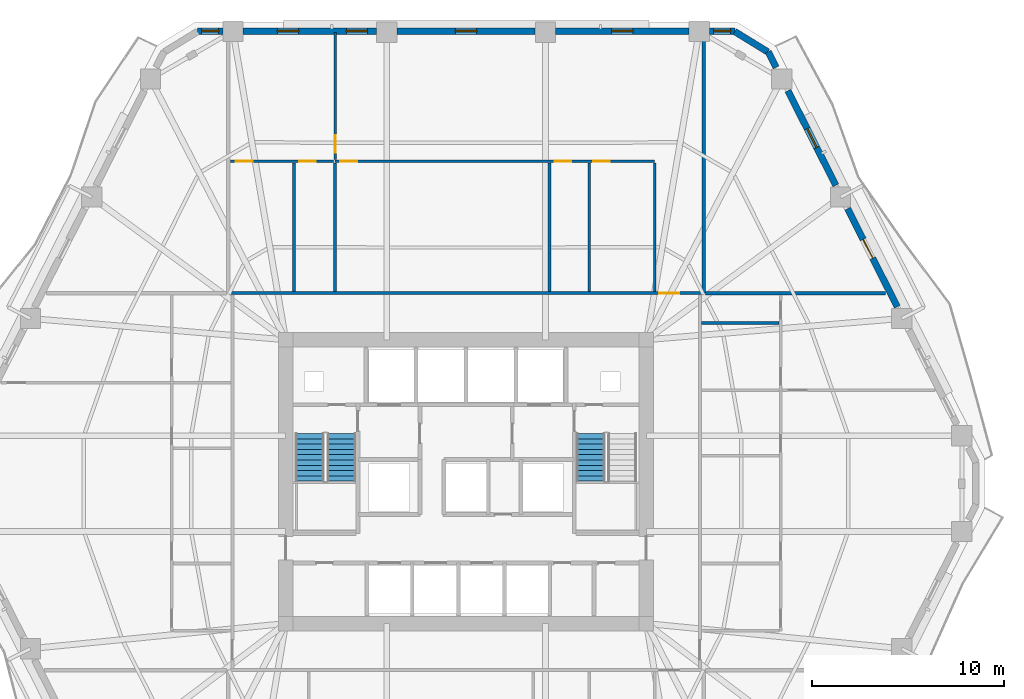
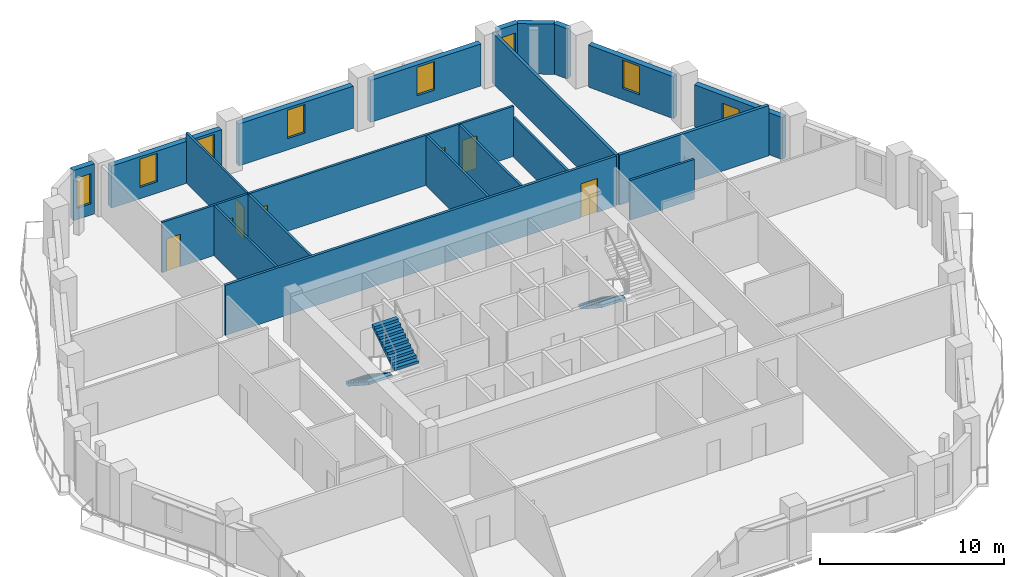
# One storey, part 7 of 13: 21 walls, 8 doors, 7 windows, 3 stair flights, 15 openings, 2 elements without a shape of their own.
"""IFC4 building model written with IfcOpenShell, lengths in metres."""

from ifc_helpers import new_model, si_unit, direction, frame, frame_2d, origin, place, context, subcontext, project, spatial, polyline, rectangle, outline, extrude, material, layer, layer_set, type_object, element, fill, aggregate, save


model = new_model("IFC4")

# Units and contexts
model_context = context("Model", 3, precision=1e-05, world=origin(), true_north=direction((0.0, 1.0)))
body_context = subcontext(model_context, "Body", "Model", "MODEL_VIEW")
ifc_project = project(units=[si_unit("LENGTHUNIT", "METRE"), si_unit("AREAUNIT", "SQUARE_METRE"), si_unit("VOLUMEUNIT", "CUBIC_METRE"), si_unit("PLANEANGLEUNIT", "RADIAN"), si_unit("MASSUNIT", "GRAM", prefix="KILO")], contexts=[model_context])

# Site, building, storey
site_placement = place(None, origin())
site = spatial("IfcSite", under=ifc_project, at=site_placement, CompositionType="ELEMENT")
building_placement = place(site_placement, origin())
building = spatial("IfcBuilding", under=site, at=building_placement, Name="Cinnabar Lancet Tower", CompositionType="ELEMENT")
storey_placement = place(building_placement, frame((0.0, 0.0, 83.550048828125)))
storey = spatial("IfcBuildingStorey", under=building, at=storey_placement, Name="L21", CompositionType="ELEMENT", Elevation=83.550048828125)

# Wall, opening, door
ifc_material_1 = material(Name="Acoustic twin-stud gypsum partition", Category="gypsum")
ifc_layer_1 = layer(ifc_material_1, 0.159912109375)
ifc_layer_set_1 = layer_set([ifc_layer_1], Name="Acoustic twin-stud gypsum partition")
wall_type_1 = type_object("IfcWallType", Name="ARC-WL-CORR-160", PredefinedType="PARTITIONING", material=ifc_layer_set_1)
wall_1_placement = place(storey_placement, frame((20.14501953125, 35.699951171875, 0.0), z_axis=(0.0, 0.0, 1.0), x_axis=(1.0, 0.0, 0.0)))
wall_1 = element("IfcWall", 1, at=wall_1_placement, inside=storey, type_object=wall_type_1, Name="L21 Unit N01 Corridor Wall", PredefinedType="PARTITIONING", context=body_context, shape_type="SweptSolid", body=[
    extrude(rectangle(XDim=24.510009765625, YDim=0.159912109375, at=frame_2d((12.2548828125, 0.0))), origin(), (0.0, 0.0, 1.0), 3.329833984375),
])
opening_1_placement = place(wall_1_placement, frame((22.304931640625, 0.0, 0.0)))
opening_1 = element("IfcOpeningElement", 2, at=opening_1_placement, cuts=wall_1, Name="Opening UD-01", PredefinedType="OPENING", context=body_context, shape_type="SweptSolid", body=[
    extrude(rectangle(XDim=1.02001953125, YDim=2.25, at=frame_2d((0.510009765625, 1.125))), frame((0.0, 0.08984375, 0.0), z_axis=(0.0, -1.0, 0.0), x_axis=(1.0, 0.0, 0.0)), (0.0, 0.0, 1.0), 0.179931640625),
])
ifc_material_2 = material(Name="Solid timber fire-rated apartment entrance door", Category="wood")
door_type_1 = type_object("IfcDoorType", Name="ARC-DR-UNIT", OperationType="NOTDEFINED", PredefinedType="DOOR", material=ifc_material_2)
door_1_placement = place(opening_1_placement, origin())
door_1 = element("IfcDoor", 3, at=door_1_placement, inside=storey, type_object=door_type_1, Name="DR-L21-N01-ENT", OperationType="SINGLE_SWING_LEFT", OverallHeight=2.25, OverallWidth=1.02001953125, PredefinedType="DOOR", context=body_context, shape_type="SweptSolid", body=[
    extrude(rectangle(XDim=1.02001953125, YDim=2.25, at=frame_2d((0.510009765625, 1.125))), frame((0.0, 0.02490234375, 0.0), z_axis=(0.0, -1.0, 0.0), x_axis=(1.0, 0.0, 0.0)), (0.0, 0.0, 1.0), 0.050048828125),
])
fill(opening_1, door_1)

# Walls
ifc_material_3 = material(Name="Fire-rated twin-frame acoustic drywall", Category="gypsum")
ifc_layer_2 = layer(ifc_material_3, 0.179931640625)
ifc_layer_set_2 = layer_set([ifc_layer_2], Name="Fire-rated twin-frame acoustic drywall")
wall_type_2 = type_object("IfcWallType", Name="ARC-WL-PARTY-180", PredefinedType="PARTITIONING", material=ifc_layer_set_2)
wall_2_placement = place(storey_placement, frame((44.75, 35.699951171875, 0.0), z_axis=(0.0, 0.0, 1.0), x_axis=(0.0, 1.0, 0.0)))
element("IfcWall", 4, at=wall_2_placement, inside=storey, type_object=wall_type_2, Name="PW-L21-NPTY-448", PredefinedType="PARTITIONING", context=body_context, shape_type="SweptSolid", body=[
    extrude(rectangle(XDim=13.445068359375, YDim=0.179931640625, at=frame_2d((6.72265625, 0.0))), origin(), (0.0, 0.0, 1.0), 3.329833984375),
])
wall_3_placement = place(storey_placement, frame((44.844970703125, 35.699951171875, 0.0), z_axis=(0.0, 0.0, 1.0), x_axis=(1.0, 0.0, 0.0)))
element("IfcWall", 5, at=wall_3_placement, inside=storey, type_object=wall_type_2, Name="PW-L21-ENB", PredefinedType="PARTITIONING", context=body_context, shape_type="SweptSolid", body=[
    extrude(rectangle(XDim=9.365966796875, YDim=0.179931640625, at=frame_2d((4.68310546875, 0.0))), origin(), (0.0, 0.0, 1.0), 3.329833984375),
])
ifc_material_4 = material(Name="Gypsum plasterboard stud partition", Category="gypsum")
ifc_layer_3 = layer(ifc_material_4, 0.125)
ifc_layer_set_3 = layer_set([ifc_layer_3], Name="Gypsum plasterboard stud partition")
wall_type_3 = type_object("IfcWallType", Name="ARC-WL-UNIT-125", PredefinedType="PARTITIONING", material=ifc_layer_set_3)
wall_4_placement = place(storey_placement, frame((42.199951171875, 35.784912109375, 0.0), z_axis=(0.0, 0.0, 1.0), x_axis=(0.0, 1.0, 0.0)))
element("IfcWall", 6, at=wall_4_placement, inside=storey, type_object=wall_type_3, Name="UW-L21-N01-FOYW", PredefinedType="PARTITIONING", context=body_context, shape_type="SweptSolid", body=[
    extrude(rectangle(XDim=6.6669921875, YDim=0.125, at=frame_2d((3.33349609375, 0.0))), origin(), (0.0, 0.0, 1.0), 2.635986328125),
])

# Wall, opening, door
wall_5_placement = place(storey_placement, frame((25.590087890625, 42.632080078125, 0.0), z_axis=(0.0, 0.0, 1.0), x_axis=(0.0, 1.0, 0.0)))
wall_5 = element("IfcWall", 7, at=wall_5_placement, inside=storey, type_object=wall_type_3, Name="UW-L21-N01-MBW", PredefinedType="PARTITIONING", context=body_context, shape_type="SweptSolid", body=[
    extrude(rectangle(XDim=6.60302734375, YDim=0.125, at=frame_2d((3.301513671875, 0.0))), origin(), (0.0, 0.0, 1.0), 3.329833984375),
])
opening_2_placement = place(wall_5_placement, frame((0.35009765625, 0.0, 0.0)))
opening_2 = element("IfcOpeningElement", 8, at=opening_2_placement, cuts=wall_5, Name="Opening RD-01", PredefinedType="OPENING", context=body_context, shape_type="SweptSolid", body=[
    extrude(rectangle(XDim=0.919921875, YDim=2.14990234375, at=frame_2d((0.4599609375, 1.074951171875))), frame((0.0, 0.072509765625, 0.0), z_axis=(0.0, -1.0, 0.0), x_axis=(1.0, 0.0, 0.0)), (0.0, 0.0, 1.0), 0.14501953125),
])
ifc_material_5 = material(Name="Engineered timber bedroom door", Category="wood")
door_type_2 = type_object("IfcDoorType", Name="ARC-DR-ROOM", OperationType="NOTDEFINED", PredefinedType="DOOR", material=ifc_material_5)
door_2_placement = place(opening_2_placement, origin())
door_2 = element("IfcDoor", 9, at=door_2_placement, inside=storey, type_object=door_type_2, Name="DR-L21-N01-MBD", OperationType="SINGLE_SWING_RIGHT", OverallHeight=2.14990234375, OverallWidth=0.919921875, PredefinedType="DOOR", context=body_context, shape_type="SweptSolid", body=[
    extrude(rectangle(XDim=0.919921875, YDim=2.14990234375, at=frame_2d((0.4599609375, 1.074951171875))), frame((0.0, 0.02490234375, 0.0), z_axis=(0.0, -1.0, 0.0), x_axis=(1.0, 0.0, 0.0)), (0.0, 0.0, 1.0), 0.050048828125),
])
fill(opening_2, door_2)

# Wall, openings, doors
ifc_material_6 = material(Name="Moisture-resistant cement-board plumbing wall", Category="masonry")
ifc_layer_4 = layer(ifc_material_6, 0.139892578125)
ifc_layer_set_4 = layer_set([ifc_layer_4], Name="Moisture-resistant cement-board plumbing wall")
wall_type_4 = type_object("IfcWallType", Name="ARC-WL-WET-140", PredefinedType="PLUMBINGWALL", material=ifc_layer_set_4)
wall_6_placement = place(storey_placement, frame((25.590087890625, 42.556884765625, 0.0), z_axis=(0.0, 0.0, 1.0), x_axis=(1.0, 0.0, 0.0)))
wall_6 = element("IfcWall", 10, at=wall_6_placement, inside=storey, type_object=wall_type_4, Name="UW-L21-N01-SPL", PredefinedType="PLUMBINGWALL", context=body_context, shape_type="SweptSolid", body=[
    extrude(rectangle(XDim=16.60986328125, YDim=0.139892578125, at=frame_2d((8.304931640625, 0.0))), origin(), (0.0, 0.0, 1.0), 3.329833984375),
])
opening_3_placement = place(wall_6_placement, frame((0.280029296875, 0.0, 0.0)))
opening_3 = element("IfcOpeningElement", 11, at=opening_3_placement, cuts=wall_6, Name="Opening RD-02", PredefinedType="OPENING", context=body_context, shape_type="SweptSolid", body=[
    extrude(rectangle(XDim=0.8798828125, YDim=2.14990234375, at=frame_2d((0.43994140625, 1.074951171875))), frame((0.0, 0.079833984375, 0.0), z_axis=(0.0, -1.0, 0.0), x_axis=(1.0, 0.0, 0.0)), (0.0, 0.0, 1.0), 0.159912109375),
])
opening_4_placement = place(wall_6_placement, frame((11.428955078125, 0.0, 0.0)))
opening_4 = element("IfcOpeningElement", 12, at=opening_4_placement, cuts=wall_6, Name="Opening BD-01", PredefinedType="OPENING", context=body_context, shape_type="SweptSolid", body=[
    extrude(rectangle(XDim=0.860107421875, YDim=2.10009765625, at=frame_2d((0.43017578125, 1.050048828125))), frame((0.0, 0.079833984375, 0.0), z_axis=(0.0, -1.0, 0.0), x_axis=(1.0, 0.0, 0.0)), (0.0, 0.0, 1.0), 0.159912109375),
])
opening_5_placement = place(wall_6_placement, frame((13.409912109375, 0.0, 0.0)))
opening_5 = element("IfcOpeningElement", 13, at=opening_5_placement, cuts=wall_6, Name="Opening RD-02", PredefinedType="OPENING", context=body_context, shape_type="SweptSolid", body=[
    extrude(rectangle(XDim=0.8798828125, YDim=2.14990234375, at=frame_2d((0.43994140625, 1.074951171875))), frame((0.0, 0.079833984375, 0.0), z_axis=(0.0, -1.0, 0.0), x_axis=(1.0, 0.0, 0.0)), (0.0, 0.0, 1.0), 0.159912109375),
])
ifc_material_7 = material(Name="Moisture-resistant timber bathroom door", Category="wood")
door_type_3 = type_object("IfcDoorType", Name="ARC-DR-BATH", OperationType="NOTDEFINED", PredefinedType="DOOR", material=ifc_material_7)
door_3_placement = place(opening_4_placement, origin())
door_3 = element("IfcDoor", 14, at=door_3_placement, inside=storey, type_object=door_type_3, Name="DR-L21-N01-BTH", OperationType="SINGLE_SWING_LEFT", OverallHeight=2.10009765625, OverallWidth=0.860107421875, PredefinedType="DOOR", context=body_context, shape_type="SweptSolid", body=[
    extrude(rectangle(XDim=0.860107421875, YDim=2.10009765625, at=frame_2d((0.43017578125, 1.050048828125))), frame((0.0, 0.02490234375, 0.0), z_axis=(0.0, -1.0, 0.0), x_axis=(1.0, 0.0, 0.0)), (0.0, 0.0, 1.0), 0.050048828125),
])
fill(opening_4, door_3)
ifc_material_8 = material(Name="Engineered timber study door", Category="wood")
door_type_4 = type_object("IfcDoorType", Name="ARC-DR-STUDY", OperationType="NOTDEFINED", PredefinedType="DOOR", material=ifc_material_8)
door_4_placement = place(opening_3_placement, origin())
door_4 = element("IfcDoor", 15, at=door_4_placement, inside=storey, type_object=door_type_4, Name="DR-L21-N01-BTH-WDR", OperationType="SINGLE_SWING_RIGHT", OverallHeight=2.14990234375, OverallWidth=0.8798828125, PredefinedType="DOOR", context=body_context, shape_type="SweptSolid", body=[
    extrude(rectangle(XDim=0.8798828125, YDim=2.14990234375, at=frame_2d((0.43994140625, 1.074951171875))), frame((0.0, 0.02490234375, 0.0), z_axis=(0.0, -1.0, 0.0), x_axis=(1.0, 0.0, 0.0)), (0.0, 0.0, 1.0), 0.050048828125),
])
fill(opening_3, door_4)
door_5_placement = place(opening_5_placement, origin())
door_5 = element("IfcDoor", 16, at=door_5_placement, inside=storey, type_object=door_type_4, Name="DR-L21-N01-KIT", OperationType="SINGLE_SWING_LEFT", OverallHeight=2.14990234375, OverallWidth=0.8798828125, PredefinedType="DOOR", context=body_context, shape_type="SweptSolid", body=[
    extrude(rectangle(XDim=0.8798828125, YDim=2.14990234375, at=frame_2d((0.43994140625, 1.074951171875))), frame((0.0, 0.02490234375, 0.0), z_axis=(0.0, -1.0, 0.0), x_axis=(1.0, 0.0, 0.0)), (0.0, 0.0, 1.0), 0.050048828125),
])
fill(opening_5, door_5)

wall_7_placement = place(storey_placement, frame((20.14501953125, 42.556884765625, 0.0), z_axis=(0.0, 0.0, 1.0), x_axis=(1.0, 0.0, 0.0)))
wall_7 = element("IfcWall", 17, at=wall_7_placement, inside=storey, type_object=wall_type_4, Name="UW-L21-N01-SPM", PredefinedType="PLUMBINGWALL", context=body_context, shape_type="SweptSolid", body=[
    extrude(rectangle(XDim=5.369873046875, YDim=0.139892578125, at=frame_2d((2.68505859375, 0.0))), origin(), (0.0, 0.0, 1.0), 3.329833984375),
])
opening_6_placement = place(wall_7_placement, frame((0.280029296875, 0.0, 0.0)))
opening_6 = element("IfcOpeningElement", 18, at=opening_6_placement, cuts=wall_7, Name="Opening RD-02", PredefinedType="OPENING", context=body_context, shape_type="SweptSolid", body=[
    extrude(rectangle(XDim=0.8798828125, YDim=2.14990234375, at=frame_2d((0.43994140625, 1.074951171875))), frame((0.0, 0.079833984375, 0.0), z_axis=(0.0, -1.0, 0.0), x_axis=(1.0, 0.0, 0.0)), (0.0, 0.0, 1.0), 0.159912109375),
])
opening_7_placement = place(wall_7_placement, frame((3.589111328125, 0.0, 0.0)))
opening_7 = element("IfcOpeningElement", 19, at=opening_7_placement, cuts=wall_7, Name="Opening BD-01", PredefinedType="OPENING", context=body_context, shape_type="SweptSolid", body=[
    extrude(rectangle(XDim=0.860107421875, YDim=2.10009765625, at=frame_2d((0.43017578125, 1.050048828125))), frame((0.0, 0.079833984375, 0.0), z_axis=(0.0, -1.0, 0.0), x_axis=(1.0, 0.0, 0.0)), (0.0, 0.0, 1.0), 0.159912109375),
])
door_6_placement = place(opening_7_placement, origin())
door_6 = element("IfcDoor", 20, at=door_6_placement, inside=storey, type_object=door_type_3, Name="DR-L21-N01-ENS", OperationType="SINGLE_SWING_RIGHT", OverallHeight=2.10009765625, OverallWidth=0.860107421875, PredefinedType="DOOR", context=body_context, shape_type="SweptSolid", body=[
    extrude(rectangle(XDim=0.860107421875, YDim=2.10009765625, at=frame_2d((0.43017578125, 1.050048828125))), frame((0.0, 0.02490234375, 0.0), z_axis=(0.0, -1.0, 0.0), x_axis=(1.0, 0.0, 0.0)), (0.0, 0.0, 1.0), 0.050048828125),
])
fill(opening_7, door_6)
door_7_placement = place(opening_6_placement, origin())
door_7 = element("IfcDoor", 21, at=door_7_placement, inside=storey, type_object=door_type_4, Name="DR-L21-N01-ENS-WDR", OperationType="SINGLE_SWING_LEFT", OverallHeight=2.14990234375, OverallWidth=0.8798828125, PredefinedType="DOOR", context=body_context, shape_type="SweptSolid", body=[
    extrude(rectangle(XDim=0.8798828125, YDim=2.14990234375, at=frame_2d((0.43994140625, 1.074951171875))), frame((0.0, 0.02490234375, 0.0), z_axis=(0.0, -1.0, 0.0), x_axis=(1.0, 0.0, 0.0)), (0.0, 0.0, 1.0), 0.050048828125),
])
fill(opening_6, door_7)

# Walls
for number, where, z_axis, x_axis, name in (
    (22, (38.800048828125, 35.784912109375, 0.0), (0.0, 0.0, 1.0), (0.0, 1.0, 0.0), "UW-L21-N01-KBD"),
    (23, (25.590087890625, 35.784912109375, 0.0), (0.0, 0.0, 1.0), (0.0, 1.0, 0.0), "UW-L21-N01-ENSW"),
):
    element("IfcWall", number, at=place(storey_placement, frame(where, z_axis=z_axis, x_axis=x_axis)), inside=storey, type_object=wall_type_4, Name=name, PredefinedType="PLUMBINGWALL", context=body_context, shape_type="SweptSolid", body=[
        extrude(rectangle(XDim=6.6669921875, YDim=0.139892578125, at=frame_2d((3.33349609375, 0.0))), origin(), (0.0, 0.0, 1.0), 3.329833984375),
    ])
for number, where, z_axis, x_axis, name in (
    (24, (36.739013671875, 35.784912109375, 0.0), (0.0, 0.0, 1.0), (0.0, 1.0, 0.0), "UW-L21-N01-BTH-WDV"),
    (25, (23.4541015625, 35.784912109375, 0.0), (0.0, 0.0, 1.0), (0.0, 1.0, 0.0), "UW-L21-N01-ENS-WDV"),
):
    element("IfcWall", number, at=place(storey_placement, frame(where, z_axis=z_axis, x_axis=x_axis)), inside=storey, type_object=wall_type_4, Name=name, PredefinedType="PLUMBINGWALL", context=body_context, shape_type="SweptSolid", body=[
        extrude(rectangle(XDim=6.68701171875, YDim=0.139892578125, at=frame_2d((3.343505859375, 0.0))), origin(), (0.0, 0.0, 1.0), 3.329833984375),
    ])
wall_8_placement = place(storey_placement, frame((44.635009765625, 34.14892578125, 0.0), z_axis=(0.0, 0.0, 1.0), x_axis=(1.0, 0.0, 0.0)))
element("IfcWall", 26, at=wall_8_placement, inside=storey, type_object=wall_type_4, Name="UW-L21-E01-EWDV", PredefinedType="PLUMBINGWALL", context=body_context, shape_type="SweptSolid", body=[
    extrude(rectangle(XDim=4.030029296875, YDim=0.139892578125, at=frame_2d((2.01513671875, 0.0))), origin(), (0.0, 0.0, 1.0), 2.635986328125),
])
ifc_material_9 = material(Name="Cinnabar red clay brick", Category="masonry")
ifc_layer_5 = layer(ifc_material_9, 0.340087890625)
ifc_layer_set_5 = layer_set([ifc_layer_5], Name="Cinnabar red clay brick")
wall_type_5 = type_object("IfcWallType", Name="ENV-WL-BRK-RED-340", PredefinedType="STANDARD", material=ifc_layer_set_5)
wall_9_placement = place(storey_placement, frame((48.080078125, 48.238037109375, 0.0), z_axis=(0.0, 0.0, 1.0), x_axis=(-0.851870104345, 0.523753114857, 0.0)))
element("IfcWall", 27, at=wall_9_placement, inside=storey, type_object=wall_type_5, Name="L21 Chamfered Corner Brick Pier 4.1", PredefinedType="STANDARD", context=body_context, shape_type="SweptSolid", body=[
    extrude(rectangle(XDim=2.017822265625, YDim=0.340087890625, at=frame_2d((1.0087890625, 0.0))), origin(), (0.0, 0.0, 1.0), 3.329833984375),
])

# Wall, opening, door
wall_10_placement = place(storey_placement, frame((54.81396484375, 34.986083984375, 0.0), z_axis=(0.0, 0.0, 1.0), x_axis=(-0.451633893529, 0.892203354744, 0.0)))
wall_10 = element("IfcWall", 28, at=wall_10_placement, inside=storey, type_object=wall_type_5, Name="L21 Face 3 Masonry Bay Wall 3", PredefinedType="STANDARD", context=body_context, shape_type="SweptSolid", body=[
    extrude(rectangle(XDim=5.71484375, YDim=0.340087890625, at=frame_2d((2.857421875, 0.0))), origin(), (0.0, 0.0, 1.0), 2.786865234375),
])
opening_8_placement = place(wall_10_placement, frame((2.8330078125, 0.0, 0.0)))
opening_8 = element("IfcOpeningElement", 29, at=opening_8_placement, cuts=wall_10, Name="Opening TD-01", PredefinedType="OPENING", context=body_context, shape_type="SweptSolid", body=[
    extrude(rectangle(XDim=1.10009765625, YDim=2.25, at=frame_2d((0.550048828125, 1.125))), frame((0.0, 0.179931640625, 0.0), z_axis=(0.0, -1.0, 0.0), x_axis=(1.0, 0.0, 0.0)), (0.0, 0.0, 1.0), 0.360107421875),
])
ifc_material_10 = material(Name="Thermally broken low-E glazed balcony terrace door", Category="wood")
door_type_5 = type_object("IfcDoorType", Name="ARC-DR-BALC", OperationType="NOTDEFINED", PredefinedType="DOOR", material=ifc_material_10)
door_8_placement = place(opening_8_placement, origin())
door_8 = element("IfcDoor", 30, at=door_8_placement, inside=storey, type_object=door_type_5, Name="L21 Face 3 Glazed Terrace Door", OperationType="SINGLE_SWING_LEFT", OverallHeight=2.25, OverallWidth=1.10009765625, PredefinedType="DOOR", context=body_context, shape_type="SweptSolid", body=[
    extrude(rectangle(XDim=1.10009765625, YDim=2.25, at=frame_2d((0.550048828125, 1.125))), frame((0.0, 0.02490234375, 0.0), z_axis=(0.0, -1.0, 0.0), x_axis=(1.0, 0.0, 0.0)), (0.0, 0.0, 1.0), 0.050048828125),
])
fill(opening_8, door_8)

# Wall, opening, window
wall_11_placement = place(storey_placement, frame((51.62109375, 41.297119140625, 0.0), z_axis=(0.0, 0.0, 1.0), x_axis=(-0.451737622594, 0.892150839451, 0.0)))
wall_11 = element("IfcWall", 31, at=wall_11_placement, inside=storey, type_object=wall_type_5, Name="L21 Face 3 Masonry Bay Wall 4", PredefinedType="STANDARD", context=body_context, shape_type="SweptSolid", body=[
    extrude(rectangle(XDim=5.51904296875, YDim=0.340087890625, at=frame_2d((2.759521484375, 0.0))), origin(), (0.0, 0.0, 1.0), 2.786865234375),
])
opening_9_placement = place(wall_11_placement, frame((2.2099609375, 0.0, 0.75)))
opening_9 = element("IfcOpeningElement", 32, at=opening_9_placement, cuts=wall_11, Name="Opening WN-04", PredefinedType="OPENING", context=body_context, shape_type="SweptSolid", body=[
    extrude(rectangle(XDim=1.10009765625, YDim=1.886962890625, at=frame_2d((0.550048828125, 0.943359375))), frame((0.0, 0.179931640625, 0.0), z_axis=(0.0, -1.0, 0.0), x_axis=(1.0, 0.0, 0.0)), (0.0, 0.0, 1.0), 0.360107421875),
])
ifc_material_11 = material(Name="Thermally broken bronze-anodized aluminium tall lancet window", Category="aluminium")
window_type = type_object("IfcWindowType", Name="ENV-WN-LANCET-1100", PartitioningType="SINGLE_PANEL", PredefinedType="WINDOW", material=ifc_material_11)
window_1_placement = place(opening_9_placement, origin())
window_1 = element("IfcWindow", 33, at=window_1_placement, inside=storey, type_object=window_type, Name="L21 Face 3 Gothic Lancet Window 4", OverallHeight=1.886962890625, OverallWidth=1.10009765625, PartitioningType="SINGLE_PANEL", PredefinedType="WINDOW", context=body_context, shape_type="SweptSolid", body=[
    extrude(rectangle(XDim=1.10009765625, YDim=1.886962890625, at=frame_2d((0.550048828125, 0.943359375))), frame((0.0, 0.030029296875, 0.0), z_axis=(0.0, -1.0, 0.0), x_axis=(1.0, 0.0, 0.0)), (0.0, 0.0, 1.0), 0.06005859375),
])
fill(opening_9, window_1)

# Wall
wall_12_placement = place(storey_placement, frame((48.51611328125, 47.43310546875, 0.0), z_axis=(0.0, 0.0, 1.0), x_axis=(-0.452088642812, 0.891973014749, 0.0)))
element("IfcWall", 34, at=wall_12_placement, inside=storey, type_object=wall_type_5, Name="L21 Face 3 Masonry Bay Wall 5", PredefinedType="STANDARD", context=body_context, shape_type="SweptSolid", body=[
    extrude(rectangle(XDim=0.920166015625, YDim=0.340087890625, at=frame_2d((0.4599609375, 0.0))), origin(), (0.0, 0.0, 1.0), 3.329833984375),
])

# Wall, opening, window
wall_13_placement = place(storey_placement, frame((46.365966796875, 49.320068359375, 0.0), z_axis=(0.0, 0.0, 1.0), x_axis=(-1.0, 0.0, 0.0)))
wall_13 = element("IfcWall", 35, at=wall_13_placement, inside=storey, type_object=wall_type_5, Name="L21 Face 4 Masonry Bay Wall 1", PredefinedType="STANDARD", context=body_context, shape_type="SweptSolid", body=[
    extrude(rectangle(XDim=1.320068359375, YDim=0.340087890625, at=frame_2d((0.66015625, 0.0))), origin(), (0.0, 0.0, 1.0), 3.329833984375),
])
opening_10_placement = place(wall_13_placement, frame((0.219970703125, 0.0, 0.75)))
opening_10 = element("IfcOpeningElement", 36, at=opening_10_placement, cuts=wall_13, Name="Opening WN-04", PredefinedType="OPENING", context=body_context, shape_type="SweptSolid", body=[
    extrude(rectangle(XDim=0.8798828125, YDim=2.0, at=frame_2d((0.43994140625, 1.0))), frame((0.0, 0.179931640625, 0.0), z_axis=(0.0, -1.0, 0.0), x_axis=(1.0, 0.0, 0.0)), (0.0, 0.0, 1.0), 0.360107421875),
])
window_2_placement = place(opening_10_placement, origin())
window_2 = element("IfcWindow", 37, at=window_2_placement, inside=storey, type_object=window_type, Name="L21 Split-Bay Gothic Lancet Window 62", OverallHeight=2.0, OverallWidth=0.8798828125, PartitioningType="SINGLE_PANEL", PredefinedType="WINDOW", context=body_context, shape_type="SweptSolid", body=[
    extrude(rectangle(XDim=0.8798828125, YDim=2.0, at=frame_2d((0.43994140625, 1.0))), frame((0.0, 0.030029296875, 0.0), z_axis=(0.0, -1.0, 0.0), x_axis=(1.0, 0.0, 0.0)), (0.0, 0.0, 1.0), 0.06005859375),
])
fill(opening_10, window_2)

wall_14_placement = place(storey_placement, frame((43.988037109375, 49.320068359375, 0.0), z_axis=(0.0, 0.0, 1.0), x_axis=(-1.0, 0.0, 0.0)))
wall_14 = element("IfcWall", 38, at=wall_14_placement, inside=storey, type_object=wall_type_5, Name="L21 Face 4 Masonry Bay Wall 2", PredefinedType="STANDARD", context=body_context, shape_type="SweptSolid", body=[
    extrude(rectangle(XDim=6.93701171875, YDim=0.340087890625, at=frame_2d((3.468505859375, 0.0))), origin(), (0.0, 0.0, 1.0), 2.786865234375),
])
opening_11_placement = place(wall_14_placement, frame((2.91796875, 0.0, 0.75)))
opening_11 = element("IfcOpeningElement", 39, at=opening_11_placement, cuts=wall_14, Name="Opening WN-04", PredefinedType="OPENING", context=body_context, shape_type="SweptSolid", body=[
    extrude(rectangle(XDim=1.10009765625, YDim=1.886962890625, at=frame_2d((0.550048828125, 0.943359375))), frame((0.0, 0.179931640625, 0.0), z_axis=(0.0, -1.0, 0.0), x_axis=(1.0, 0.0, 0.0)), (0.0, 0.0, 1.0), 0.360107421875),
])
window_3_placement = place(opening_11_placement, origin())
window_3 = element("IfcWindow", 40, at=window_3_placement, inside=storey, type_object=window_type, Name="L21 Face 4 Gothic Lancet Window 2", OverallHeight=1.886962890625, OverallWidth=1.10009765625, PartitioningType="SINGLE_PANEL", PredefinedType="WINDOW", context=body_context, shape_type="SweptSolid", body=[
    extrude(rectangle(XDim=1.10009765625, YDim=1.886962890625, at=frame_2d((0.550048828125, 0.943359375))), frame((0.0, 0.030029296875, 0.0), z_axis=(0.0, -1.0, 0.0), x_axis=(1.0, 0.0, 0.0)), (0.0, 0.0, 1.0), 0.06005859375),
])
fill(opening_11, window_3)

wall_15_placement = place(storey_placement, frame((35.992919921875, 49.320068359375, 0.0), z_axis=(0.0, 0.0, 1.0), x_axis=(-1.0, 0.0, 0.0)))
wall_15 = element("IfcWall", 41, at=wall_15_placement, inside=storey, type_object=wall_type_5, Name="L21 Face 4 Masonry Bay Wall 3", PredefinedType="STANDARD", context=body_context, shape_type="SweptSolid", body=[
    extrude(rectangle(XDim=7.18603515625, YDim=0.340087890625, at=frame_2d((3.593017578125, 0.0))), origin(), (0.0, 0.0, 1.0), 2.786865234375),
])
opening_12_placement = place(wall_15_placement, frame((3.04296875, 0.0, 0.75)))
opening_12 = element("IfcOpeningElement", 42, at=opening_12_placement, cuts=wall_15, Name="Opening WN-04", PredefinedType="OPENING", context=body_context, shape_type="SweptSolid", body=[
    extrude(rectangle(XDim=1.10009765625, YDim=1.886962890625, at=frame_2d((0.550048828125, 0.943359375))), frame((0.0, 0.179931640625, 0.0), z_axis=(0.0, -1.0, 0.0), x_axis=(1.0, 0.0, 0.0)), (0.0, 0.0, 1.0), 0.360107421875),
])
window_4_placement = place(opening_12_placement, origin())
window_4 = element("IfcWindow", 43, at=window_4_placement, inside=storey, type_object=window_type, Name="L21 Face 4 Gothic Lancet Window 3", OverallHeight=1.886962890625, OverallWidth=1.10009765625, PartitioningType="SINGLE_PANEL", PredefinedType="WINDOW", context=body_context, shape_type="SweptSolid", body=[
    extrude(rectangle(XDim=1.10009765625, YDim=1.886962890625, at=frame_2d((0.550048828125, 0.943359375))), frame((0.0, 0.030029296875, 0.0), z_axis=(0.0, -1.0, 0.0), x_axis=(1.0, 0.0, 0.0)), (0.0, 0.0, 1.0), 0.06005859375),
])
fill(opening_12, window_4)

# Wall, openings, windows
wall_16_placement = place(storey_placement, frame((27.7490234375, 49.320068359375, 0.0), z_axis=(0.0, 0.0, 1.0), x_axis=(-1.0, 0.0, 0.0)))
wall_16 = element("IfcWall", 44, at=wall_16_placement, inside=storey, type_object=wall_type_5, Name="L21 Face 4 Masonry Bay Wall 4", PredefinedType="STANDARD", context=body_context, shape_type="SweptSolid", body=[
    extrude(rectangle(XDim=6.93701171875, YDim=0.340087890625, at=frame_2d((3.468505859375, 0.0))), origin(), (0.0, 0.0, 1.0), 2.786865234375),
])
opening_13_placement = place(wall_16_placement, frame((0.472900390625, 0.0, 0.75)))
opening_13 = element("IfcOpeningElement", 45, at=opening_13_placement, cuts=wall_16, Name="Opening WN-04", PredefinedType="OPENING", context=body_context, shape_type="SweptSolid", body=[
    extrude(rectangle(XDim=1.10009765625, YDim=1.886962890625, at=frame_2d((0.550048828125, 0.943359375))), frame((0.0, 0.179931640625, 0.0), z_axis=(0.0, -1.0, 0.0), x_axis=(1.0, 0.0, 0.0)), (0.0, 0.0, 1.0), 0.360107421875),
])
opening_14_placement = place(wall_16_placement, frame((4.053955078125, 0.0, 0.75)))
opening_14 = element("IfcOpeningElement", 46, at=opening_14_placement, cuts=wall_16, Name="Opening WN-04", PredefinedType="OPENING", context=body_context, shape_type="SweptSolid", body=[
    extrude(rectangle(XDim=1.10009765625, YDim=1.886962890625, at=frame_2d((0.550048828125, 0.943359375))), frame((0.0, 0.179931640625, 0.0), z_axis=(0.0, -1.0, 0.0), x_axis=(1.0, 0.0, 0.0)), (0.0, 0.0, 1.0), 0.360107421875),
])
window_5_placement = place(opening_13_placement, origin())
window_5 = element("IfcWindow", 47, at=window_5_placement, inside=storey, type_object=window_type, Name="L21 Face 4 Gothic Lancet Window 4", OverallHeight=1.886962890625, OverallWidth=1.10009765625, PartitioningType="SINGLE_PANEL", PredefinedType="WINDOW", context=body_context, shape_type="SweptSolid", body=[
    extrude(rectangle(XDim=1.10009765625, YDim=1.886962890625, at=frame_2d((0.550048828125, 0.943359375))), frame((0.0, 0.030029296875, 0.0), z_axis=(0.0, -1.0, 0.0), x_axis=(1.0, 0.0, 0.0)), (0.0, 0.0, 1.0), 0.06005859375),
])
fill(opening_13, window_5)
window_6_placement = place(opening_14_placement, origin())
window_6 = element("IfcWindow", 48, at=window_6_placement, inside=storey, type_object=window_type, Name="L21 Split-Bay Gothic Lancet Window 63", OverallHeight=1.886962890625, OverallWidth=1.10009765625, PartitioningType="SINGLE_PANEL", PredefinedType="WINDOW", context=body_context, shape_type="SweptSolid", body=[
    extrude(rectangle(XDim=1.10009765625, YDim=1.886962890625, at=frame_2d((0.550048828125, 0.943359375))), frame((0.0, 0.030029296875, 0.0), z_axis=(0.0, -1.0, 0.0), x_axis=(1.0, 0.0, 0.0)), (0.0, 0.0, 1.0), 0.06005859375),
])
fill(opening_14, window_6)

# Wall, opening, window
wall_17_placement = place(storey_placement, frame((19.75390625, 49.320068359375, 0.0), z_axis=(0.0, 0.0, 1.0), x_axis=(-1.0, 0.0, 0.0)))
wall_17 = element("IfcWall", 49, at=wall_17_placement, inside=storey, type_object=wall_type_5, Name="L21 Face 4 Masonry Bay Wall 5", PredefinedType="STANDARD", context=body_context, shape_type="SweptSolid", body=[
    extrude(rectangle(XDim=1.31982421875, YDim=0.340087890625, at=frame_2d((0.659912109375, 0.0))), origin(), (0.0, 0.0, 1.0), 3.329833984375),
])
opening_15_placement = place(wall_17_placement, frame((0.219970703125, 0.0, 0.75)))
opening_15 = element("IfcOpeningElement", 50, at=opening_15_placement, cuts=wall_17, Name="Opening WN-04", PredefinedType="OPENING", context=body_context, shape_type="SweptSolid", body=[
    extrude(rectangle(XDim=0.8798828125, YDim=2.0, at=frame_2d((0.43994140625, 1.0))), frame((0.0, 0.179931640625, 0.0), z_axis=(0.0, -1.0, 0.0), x_axis=(1.0, 0.0, 0.0)), (0.0, 0.0, 1.0), 0.360107421875),
])
window_7_placement = place(opening_15_placement, origin())
window_7 = element("IfcWindow", 51, at=window_7_placement, inside=storey, type_object=window_type, Name="L21 Split-Bay Gothic Lancet Window 64", OverallHeight=2.0, OverallWidth=0.8798828125, PartitioningType="SINGLE_PANEL", PredefinedType="WINDOW", context=body_context, shape_type="SweptSolid", body=[
    extrude(rectangle(XDim=0.8798828125, YDim=2.0, at=frame_2d((0.43994140625, 1.0))), frame((0.0, 0.030029296875, 0.0), z_axis=(0.0, -1.0, 0.0), x_axis=(1.0, 0.0, 0.0)), (0.0, 0.0, 1.0), 0.06005859375),
])
fill(opening_15, window_7)

# Stair, stair flights
ifc_material_12 = material(Name="Concrete C40/50", Category="concrete")
stair_type = type_object("IfcStairType", Name="ST-CORE", PredefinedType="HALF_TURN_STAIR", material=ifc_material_12)
stair_1_placement = place(storey_placement, origin())
stair_1 = element("IfcStair", 52, at=stair_1_placement, inside=storey, type_object=stair_type, Name="L21 ST-1", PredefinedType="HALF_TURN_STAIR")
ifc_material_13 = material(Name="Concrete C40/50", Category="concrete")
stair_flight_type = type_object("IfcStairFlightType", Name="FLIGHT-CORE", PredefinedType="STRAIGHT", material=ifc_material_13)
stair_flight_1_placement = place(storey_placement, frame((24.27490234375, 28.39990234375, 0.0), z_axis=(0.0, 0.0, 1.0), x_axis=(0.0, -1.0, 0.0)))
stair_flight_1 = element("IfcStairFlight", 53, at=stair_flight_1_placement, type_object=stair_flight_type, Name="ST-1 flight 1", NumberOfRisers=10, NumberOfTreads=9, PredefinedType="STRAIGHT", RiserHeight=0.1775, TreadLength=0.275, context=body_context, shape_type="SweptSolid", body=[
    extrude(outline(polyline([(0.0, 0.0), (0.0, 0.177490234375), (0.27490234375, 0.177490234375), (0.27490234375, 0.35498046875), (0.550048828125, 0.35498046875), (0.550048828125, 0.532470703125), (0.824951171875, 0.532470703125), (0.824951171875, 0.7099609375), (1.10009765625, 0.7099609375), (1.10009765625, 0.887451171875), (1.375, 0.887451171875), (1.375, 1.06494140625), (1.64990234375, 1.06494140625), (1.64990234375, 1.242431640625), (1.925048828125, 1.242431640625), (1.925048828125, 1.419921875), (2.199951171875, 1.419921875), (2.199951171875, 1.597412109375), (2.47509765625, 1.597412109375), (2.47509765625, 1.77490234375), (2.47509765625, 1.419189453125), (0.2763671875, 0.0), (0.0, 0.0)])), frame((0.0, 0.75, 0.0), z_axis=(0.0, -1.0, 0.0), x_axis=(1.0, 0.0, 0.0)), (0.0, 0.0, 1.0), 1.5),
])
stair_flight_2_placement = place(storey_placement, frame((25.925048828125, 25.925048828125, 1.77490234375), z_axis=(0.0, 0.0, 1.0), x_axis=(0.0, 1.0, 0.0)))
stair_flight_2 = element("IfcStairFlight", 54, at=stair_flight_2_placement, type_object=stair_flight_type, Name="ST-1 flight 2", NumberOfRisers=10, NumberOfTreads=9, PredefinedType="STRAIGHT", RiserHeight=0.1775, TreadLength=0.275, context=body_context, shape_type="SweptSolid", body=[
    extrude(outline(polyline([(0.0, 0.0), (0.0, 0.177490234375), (0.27490234375, 0.177490234375), (0.27490234375, 0.35498046875), (0.550048828125, 0.35498046875), (0.550048828125, 0.532470703125), (0.824951171875, 0.532470703125), (0.824951171875, 0.7099609375), (1.10009765625, 0.7099609375), (1.10009765625, 0.887451171875), (1.375, 0.887451171875), (1.375, 1.06494140625), (1.64990234375, 1.06494140625), (1.64990234375, 1.242431640625), (1.925048828125, 1.242431640625), (1.925048828125, 1.419921875), (2.199951171875, 1.419921875), (2.199951171875, 1.597412109375), (2.47509765625, 1.597412109375), (2.47509765625, 1.77490234375), (2.47509765625, 1.419189453125), (0.2763671875, 0.0), (0.0, 0.0)])), frame((0.0, 0.75, 0.0), z_axis=(0.0, -1.0, 0.0), x_axis=(1.0, 0.0, 0.0)), (0.0, 0.0, 1.0), 1.5),
])
aggregate(stair_1, [stair_flight_1, stair_flight_2])

# Stair, stair flight
stair_2_placement = place(storey_placement, origin())
stair_2 = element("IfcStair", 55, at=stair_2_placement, inside=storey, type_object=stair_type, Name="L21 ST-2", PredefinedType="HALF_TURN_STAIR")
stair_flight_3_placement = place(storey_placement, frame((38.875, 28.39990234375, 0.0), z_axis=(0.0, 0.0, 1.0), x_axis=(0.0, -1.0, 0.0)))
stair_flight_3 = element("IfcStairFlight", 56, at=stair_flight_3_placement, type_object=stair_flight_type, Name="ST-2 flight 1", NumberOfRisers=10, NumberOfTreads=9, PredefinedType="STRAIGHT", RiserHeight=0.1775, TreadLength=0.275, context=body_context, shape_type="SweptSolid", body=[
    extrude(outline(polyline([(0.0, 0.0), (0.0, 0.177490234375), (0.27490234375, 0.177490234375), (0.27490234375, 0.35498046875), (0.550048828125, 0.35498046875), (0.550048828125, 0.532470703125), (0.824951171875, 0.532470703125), (0.824951171875, 0.7099609375), (1.10009765625, 0.7099609375), (1.10009765625, 0.887451171875), (1.375, 0.887451171875), (1.375, 1.06494140625), (1.64990234375, 1.06494140625), (1.64990234375, 1.242431640625), (1.925048828125, 1.242431640625), (1.925048828125, 1.419921875), (2.199951171875, 1.419921875), (2.199951171875, 1.597412109375), (2.47509765625, 1.597412109375), (2.47509765625, 1.77490234375), (2.47509765625, 1.419189453125), (0.2763671875, 0.0), (0.0, 0.0)])), frame((0.0, 0.75, 0.0), z_axis=(0.0, -1.0, 0.0), x_axis=(1.0, 0.0, 0.0)), (0.0, 0.0, 1.0), 1.5),
])
aggregate(stair_2, [stair_flight_3])

save(model, "model.ifc")
